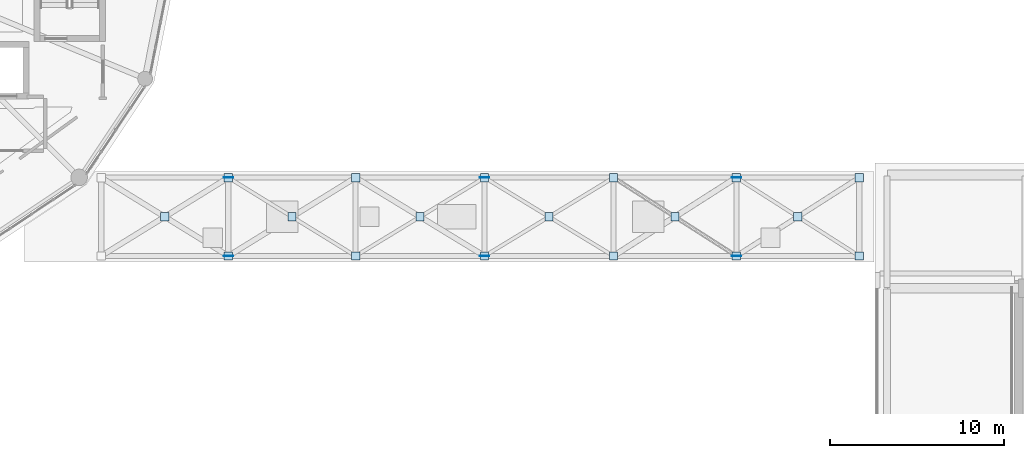
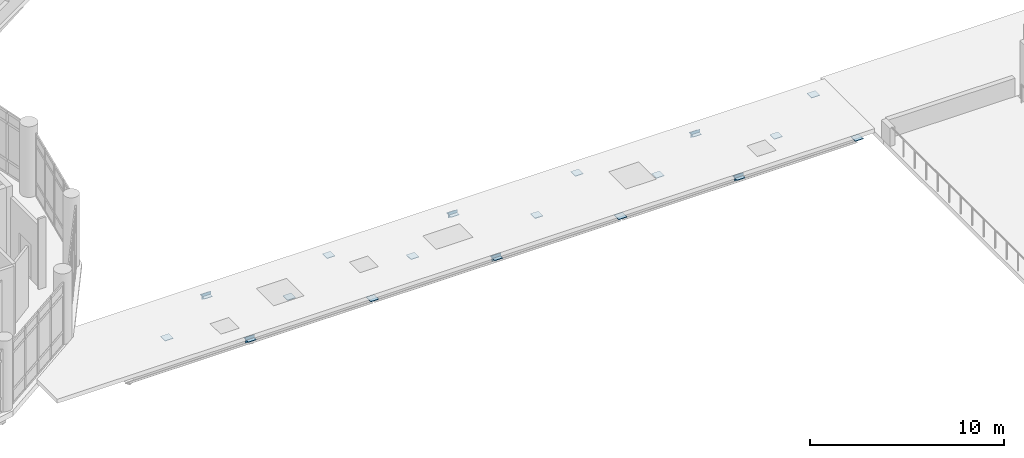
# One storey, part 47 of 75: 24 plates.
"""IFC4 building model written with IfcOpenShell, lengths in metres."""

from ifc_helpers import new_model, si_unit, direction, frame, origin, origin_2d, place, context, subcontext, project, spatial, rectangle, extrude, material, layer, layer_set, type_object, element, save


model = new_model("IFC4")

# Units and contexts
model_context = context("Model", 3, precision=1e-05, world=origin(), true_north=direction((0.0, 1.0)))
body_context = subcontext(model_context, "Body", "Model", "MODEL_VIEW")
ifc_project = project(units=[si_unit("LENGTHUNIT", "METRE"), si_unit("AREAUNIT", "SQUARE_METRE"), si_unit("VOLUMEUNIT", "CUBIC_METRE"), si_unit("PLANEANGLEUNIT", "RADIAN"), si_unit("MASSUNIT", "GRAM", prefix="KILO")], contexts=[model_context])

# Site, building, storey
site_placement = place(None, origin())
site = spatial("IfcSite", under=ifc_project, at=site_placement, CompositionType="ELEMENT")
building_placement = place(site_placement, origin())
building = spatial("IfcBuilding", under=site, at=building_placement, Name="Soyqirgoq Riverine Aquarium", CompositionType="ELEMENT")
storey_placement = place(building_placement, frame((0.0, 0.0, 10.199951171875)))
storey = spatial("IfcBuildingStorey", under=building, at=storey_placement, Name="L03", CompositionType="ELEMENT", Elevation=10.199951171875)

# Plates
ifc_material_1 = material(Name="Structural steel S355", Category="steel")
ifc_layer_1 = layer(ifc_material_1, 0.028076171875)
ifc_layer_set_1 = layer_set([ifc_layer_1], Name="Structural steel S355")
plate_type_1 = type_object("IfcPlateType", Name="NodeGussetPlate_28_S355", PredefinedType="SHEET", material=ifc_layer_set_1)
for number, where, z_axis, x_axis, name in (
    (1, (91.60009765625, 40.14990234375, -0.39501953125), (0.0, 0.0, 1.0), (1.0, 0.0, 0.0), "BR-1 Truss Node Gusset Plate 002"),
    (2, (91.60009765625, 44.64990234375, -0.39501953125), (0.0, 0.0, 1.0), (1.0, 0.0, 0.0), "BR-1 Truss Node Gusset Plate 005"),
):
    element("IfcPlate", number, at=place(storey_placement, frame(where, z_axis=z_axis, x_axis=x_axis)), inside=storey, type_object=plate_type_1, Name=name, PredefinedType="SHEET", context=body_context, shape_type="SweptSolid", body=[
        extrude(rectangle(XDim=0.550048828125, YDim=0.028076171875, at=origin_2d()), origin(), (0.0, 0.0, 1.0), 0.35009765625),
    ])
ifc_material_2 = material(Name="Structural steel S355", Category="steel")
ifc_layer_2 = layer(ifc_material_2, 0.031982421875)
ifc_layer_set_2 = layer_set([ifc_layer_2], Name="Structural steel S355")
plate_type_2 = type_object("IfcPlateType", Name="NodeGussetPlate_32_S355", PredefinedType="SHEET", material=ifc_layer_set_2)
for number, where, z_axis, x_axis, name in (
    (3, (106.050048828125, 40.14990234375, -0.39501953125), (0.0, 0.0, 1.0), (1.0, 0.0, 0.0), "BR-1 Truss Node Gusset Plate 003"),
    (4, (106.050048828125, 44.64990234375, -0.39501953125), (0.0, 0.0, 1.0), (1.0, 0.0, 0.0), "BR-1 Truss Node Gusset Plate 006"),
):
    element("IfcPlate", number, at=place(storey_placement, frame(where, z_axis=z_axis, x_axis=x_axis)), inside=storey, type_object=plate_type_2, Name=name, PredefinedType="SHEET", context=body_context, shape_type="SweptSolid", body=[
        extrude(rectangle(XDim=0.550048828125, YDim=0.031982421875, at=origin_2d()), origin(), (0.0, 0.0, 1.0), 0.35009765625),
    ])
for number, where, z_axis, x_axis, name in (
    (5, (73.25, 42.39990234375, -0.24609375), (0.0, 0.0, 1.0), (1.0, 0.0, 0.0), "BR-1 X-Brace Crossing Gusset Plate 007"),
    (6, (76.89990234375, 44.64990234375, -0.24609375), (0.0, 0.0, 1.0), (1.0, 0.0, 0.0), "BR-1 Brace End Gusset Plate NE 009"),
    (7, (76.89990234375, 40.14990234375, -0.24609375), (0.0, 0.0, 1.0), (1.0, 0.0, 0.0), "BR-1 Brace End Gusset Plate SE 011"),
    (8, (80.550048828125, 42.39990234375, -0.24609375), (0.0, 0.0, 1.0), (1.0, 0.0, 0.0), "BR-1 X-Brace Crossing Gusset Plate 012"),
    (9, (84.199951171875, 44.64990234375, -0.24609375), (0.0, 0.0, 1.0), (1.0, 0.0, 0.0), "BR-1 Brace End Gusset Plate NE 013"),
    (10, (84.199951171875, 40.14990234375, -0.24609375), (0.0, 0.0, 1.0), (1.0, 0.0, 0.0), "BR-1 Brace End Gusset Plate SE 014"),
    (11, (87.89990234375, 42.39990234375, -0.24609375), (0.0, 0.0, 1.0), (1.0, 0.0, 0.0), "BR-1 X-Brace Crossing Gusset Plate 015"),
    (12, (91.60009765625, 44.64990234375, -0.24609375), (0.0, 0.0, 1.0), (1.0, 0.0, 0.0), "BR-1 Brace End Gusset Plate NE 016"),
    (13, (91.60009765625, 40.14990234375, -0.24609375), (0.0, 0.0, 1.0), (1.0, 0.0, 0.0), "BR-1 Brace End Gusset Plate SE 017"),
    (14, (95.300048828125, 42.39990234375, -0.24609375), (0.0, 0.0, 1.0), (1.0, 0.0, 0.0), "BR-1 X-Brace Crossing Gusset Plate 018"),
    (15, (99.0, 44.64990234375, -0.24609375), (0.0, 0.0, 1.0), (1.0, 0.0, 0.0), "BR-1 Brace End Gusset Plate NE 019"),
    (16, (99.0, 40.14990234375, -0.24609375), (0.0, 0.0, 1.0), (1.0, 0.0, 0.0), "BR-1 Brace End Gusset Plate SE 020"),
    (17, (102.52490234375, 42.39990234375, -0.24609375), (0.0, 0.0, 1.0), (1.0, 0.0, 0.0), "BR-1 X-Brace Crossing Gusset Plate 021"),
    (18, (106.050048828125, 44.64990234375, -0.24609375), (0.0, 0.0, 1.0), (1.0, 0.0, 0.0), "BR-1 Brace End Gusset Plate NE 022"),
    (19, (106.050048828125, 40.14990234375, -0.24609375), (0.0, 0.0, 1.0), (1.0, 0.0, 0.0), "BR-1 Brace End Gusset Plate SE 023"),
    (20, (109.574951171875, 42.39990234375, -0.24609375), (0.0, 0.0, 1.0), (1.0, 0.0, 0.0), "BR-1 X-Brace Crossing Gusset Plate 024"),
    (21, (113.10009765625, 44.64990234375, -0.24609375), (0.0, 0.0, 1.0), (1.0, 0.0, 0.0), "BR-1 Brace End Gusset Plate NE 025"),
    (22, (113.10009765625, 40.14990234375, -0.24609375), (0.0, 0.0, 1.0), (1.0, 0.0, 0.0), "BR-1 Brace End Gusset Plate SE 026"),
):
    element("IfcPlate", number, at=place(storey_placement, frame(where, z_axis=z_axis, x_axis=x_axis)), inside=storey, type_object=plate_type_2, Name=name, PredefinedType="SHEET", context=body_context, shape_type="SweptSolid", body=[
        extrude(rectangle(XDim=0.47998046875, YDim=0.47998046875, at=origin_2d()), origin(), (0.0, 0.0, 1.0), 0.031982421875),
    ])
ifc_material_3 = material(Name="Structural steel S355", Category="steel")
ifc_layer_3 = layer(ifc_material_3, 0.035888671875)
ifc_layer_set_3 = layer_set([ifc_layer_3], Name="Structural steel S355")
plate_type_3 = type_object("IfcPlateType", Name="NodeGussetPlate_36_S355", PredefinedType="SHEET", material=ifc_layer_set_3)
for number, where, z_axis, x_axis, name in (
    (23, (76.89990234375, 40.14990234375, -0.39501953125), (0.0, 0.0, 1.0), (1.0, 0.0, 0.0), "BR-1 Truss Node Gusset Plate 001"),
    (24, (76.89990234375, 44.64990234375, -0.39501953125), (0.0, 0.0, 1.0), (1.0, 0.0, 0.0), "BR-1 Truss Node Gusset Plate 004"),
):
    element("IfcPlate", number, at=place(storey_placement, frame(where, z_axis=z_axis, x_axis=x_axis)), inside=storey, type_object=plate_type_3, Name=name, PredefinedType="SHEET", context=body_context, shape_type="SweptSolid", body=[
        extrude(rectangle(XDim=0.550048828125, YDim=0.035888671875, at=origin_2d()), origin(), (0.0, 0.0, 1.0), 0.35009765625),
    ])

save(model, "model.ifc")
